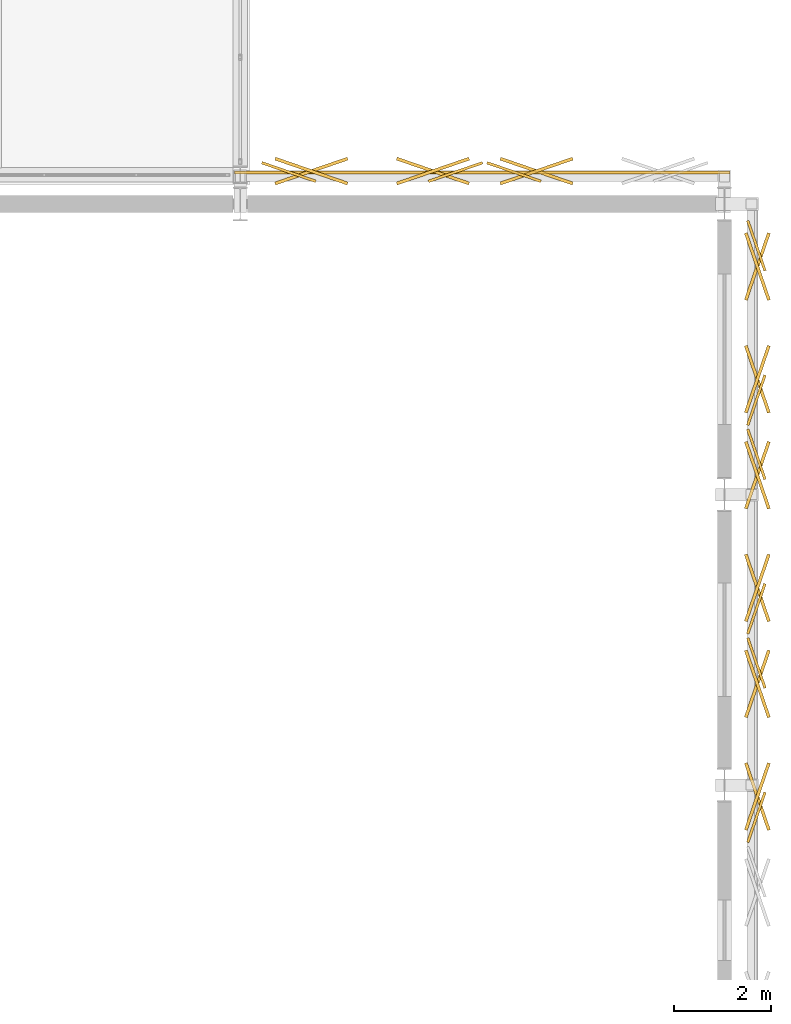
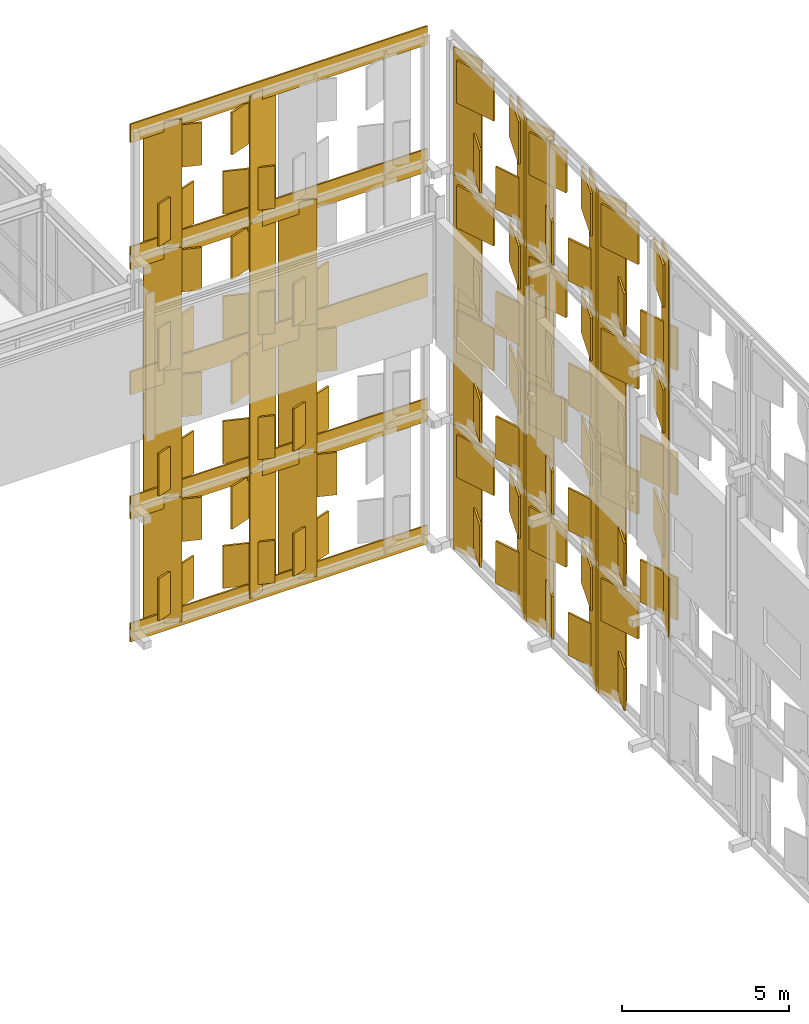
# One storey, part 238 of 239: 106 coverings.
"""IFC4 building model written with IfcOpenShell, lengths in metres."""

from ifc_helpers import new_model, si_unit, direction, frame, origin, origin_2d, place, context, subcontext, project, spatial, rectangle, extrude, material, layer, layer_set, type_object, element, save


model = new_model("IFC4")

# Units and contexts
model_context = context("Model", 3, precision=1e-05, world=origin(), true_north=direction((0.0, 1.0)))
body_context = subcontext(model_context, "Body", "Model", "MODEL_VIEW")
ifc_project = project(units=[si_unit("LENGTHUNIT", "METRE"), si_unit("AREAUNIT", "SQUARE_METRE"), si_unit("VOLUMEUNIT", "CUBIC_METRE"), si_unit("PLANEANGLEUNIT", "RADIAN"), si_unit("MASSUNIT", "GRAM", prefix="KILO")], contexts=[model_context])

# Site, building, storey
site_placement = place(None, origin())
site = spatial("IfcSite", under=ifc_project, at=site_placement, CompositionType="ELEMENT")
building_placement = place(site_placement, origin())
building = spatial("IfcBuilding", under=site, at=building_placement, Name="Kaldris Quays Convention Centre", CompositionType="ELEMENT")
storey_placement = place(building_placement, frame((0.0, 0.0, 11.39990234375)))
storey = spatial("IfcBuildingStorey", under=building, at=storey_placement, Name="L02", CompositionType="ELEMENT", Elevation=11.39990234375)

# Coverings
ifc_material = material(Name="Alabaster white star-pierced anodized aluminium panel", Category="aluminium")
ifc_layer = layer(ifc_material, 0.044921875)
ifc_layer_set = layer_set([ifc_layer], Name="Alabaster white star-pierced anodized aluminium panel")
covering_type = type_object("IfcCoveringType", Name="STAR PIERCED WHITE FOLDED SCREEN CL01", PredefinedType="CLADDING", material=ifc_layer_set)
covering_1_placement = place(storey_placement, frame((204.659912109375, 94.521484375, -7.60986328125), z_axis=(0.0, 0.0, 1.0), x_axis=(-0.325568154457, 0.945518575599, 0.0)))
element("IfcCovering", 1, at=covering_1_placement, inside=storey, type_object=covering_type, Name="V2E Folded White Screen Stile 2065", PredefinedType="CLADDING", context=body_context, shape_type="SweptSolid", body=[
    extrude(rectangle(XDim=1.093994140625, YDim=0.054931640625, at=origin_2d()), origin(), (0.0, 0.0, 1.0), 4.669921875),
])
for number, where, z_axis, x_axis, name in (
    (2, (204.679931640625, 94.0908203125, -7.27685546875), (0.0, 0.0, 1.0), (0.325568154457, 0.945518575599, 0.0), "V2E Carved Star Corner Facet 2068"),
    (3, (204.679931640625, 94.0908203125, -4.81982421875), (0.0, 0.0, 1.0), (-0.325568154457, 0.945518575599, 0.0), "V2E Carved Star Corner Facet 2069"),
):
    element("IfcCovering", number, at=place(storey_placement, frame(where, z_axis=z_axis, x_axis=x_axis)), inside=storey, type_object=covering_type, Name=name, PredefinedType="CLADDING", context=body_context, shape_type="SweptSolid", body=[
        extrude(rectangle(XDim=1.465087890625, YDim=0.06494140625, at=origin_2d()), origin(), (0.0, 0.0, 1.0), 1.547119140625),
    ])
for number, where, z_axis, x_axis, name in (
    (4, (204.659912109375, 91.3330078125, -3.059814453125), (0.0, 0.0, 1.0), (0.325568154457, 0.945518575599, 0.0), "V2E Folded White Screen Stile 2070"),
    (5, (204.659912109375, 94.521484375, -3.059814453125), (0.0, 0.0, 1.0), (-0.325568154457, 0.945518575599, 0.0), "V2E Folded White Screen Stile 2071"),
):
    element("IfcCovering", number, at=place(storey_placement, frame(where, z_axis=z_axis, x_axis=x_axis)), inside=storey, type_object=covering_type, Name=name, PredefinedType="CLADDING", context=body_context, shape_type="SweptSolid", body=[
        extrude(rectangle(XDim=1.093994140625, YDim=0.054931640625, at=origin_2d()), origin(), (0.0, 0.0, 1.0), 4.669921875),
    ])
for number, where, z_axis, x_axis, name in (
    (6, (204.679931640625, 91.763916015625, -2.72705078125), (0.0, 0.0, 1.0), (-0.325568154457, 0.945518575599, 0.0), "V2E Carved Star Corner Facet 2072"),
    (7, (204.679931640625, 91.763916015625, -0.27001953125), (0.0, 0.0, 1.0), (0.325568154457, 0.945518575599, 0.0), "V2E Carved Star Corner Facet 2073"),
    (8, (204.679931640625, 94.0908203125, -2.72705078125), (0.0, 0.0, 1.0), (0.325568154457, 0.945518575599, 0.0), "V2E Carved Star Corner Facet 2074"),
    (9, (204.679931640625, 94.0908203125, -0.27001953125), (0.0, 0.0, 1.0), (-0.325568154457, 0.945518575599, 0.0), "V2E Carved Star Corner Facet 2075"),
):
    element("IfcCovering", number, at=place(storey_placement, frame(where, z_axis=z_axis, x_axis=x_axis)), inside=storey, type_object=covering_type, Name=name, PredefinedType="CLADDING", context=body_context, shape_type="SweptSolid", body=[
        extrude(rectangle(XDim=1.465087890625, YDim=0.06494140625, at=origin_2d()), origin(), (0.0, 0.0, 1.0), 1.547119140625),
    ])
for number, where, z_axis, x_axis, name in (
    (10, (204.659912109375, 91.3330078125, 1.490234375), (0.0, 0.0, 1.0), (0.325568154457, 0.945518575599, 0.0), "V2E Folded White Screen Stile 2076"),
    (11, (204.659912109375, 94.521484375, 1.490234375), (0.0, 0.0, 1.0), (-0.325568154457, 0.945518575599, 0.0), "V2E Folded White Screen Stile 2077"),
):
    element("IfcCovering", number, at=place(storey_placement, frame(where, z_axis=z_axis, x_axis=x_axis)), inside=storey, type_object=covering_type, Name=name, PredefinedType="CLADDING", context=body_context, shape_type="SweptSolid", body=[
        extrude(rectangle(XDim=1.093994140625, YDim=0.054931640625, at=origin_2d()), origin(), (0.0, 0.0, 1.0), 4.669921875),
    ])
for number, where, z_axis, x_axis, name in (
    (12, (204.679931640625, 91.763916015625, 1.8232421875), (0.0, 0.0, 1.0), (-0.325568154457, 0.945518575599, 0.0), "V2E Carved Star Corner Facet 2078"),
    (13, (204.679931640625, 91.763916015625, 4.2802734375), (0.0, 0.0, 1.0), (0.325568154457, 0.945518575599, 0.0), "V2E Carved Star Corner Facet 2079"),
    (14, (204.679931640625, 94.0908203125, 1.8232421875), (0.0, 0.0, 1.0), (0.325568154457, 0.945518575599, 0.0), "V2E Carved Star Corner Facet 2080"),
    (15, (204.679931640625, 94.0908203125, 4.2802734375), (0.0, 0.0, 1.0), (-0.325568154457, 0.945518575599, 0.0), "V2E Carved Star Corner Facet 2081"),
):
    element("IfcCovering", number, at=place(storey_placement, frame(where, z_axis=z_axis, x_axis=x_axis)), inside=storey, type_object=covering_type, Name=name, PredefinedType="CLADDING", context=body_context, shape_type="SweptSolid", body=[
        extrude(rectangle(XDim=1.465087890625, YDim=0.06494140625, at=origin_2d()), origin(), (0.0, 0.0, 1.0), 1.547119140625),
    ])
for number, where, z_axis, x_axis, name in (
    (16, (204.659912109375, 91.3330078125, 6.0400390625), (0.0, 0.0, 1.0), (0.325568154457, 0.945518575599, 0.0), "V2E Folded White Screen Stile 2082"),
    (17, (204.659912109375, 94.521484375, 6.0400390625), (0.0, 0.0, 1.0), (-0.325568154457, 0.945518575599, 0.0), "V2E Folded White Screen Stile 2083"),
):
    element("IfcCovering", number, at=place(storey_placement, frame(where, z_axis=z_axis, x_axis=x_axis)), inside=storey, type_object=covering_type, Name=name, PredefinedType="CLADDING", context=body_context, shape_type="SweptSolid", body=[
        extrude(rectangle(XDim=1.093994140625, YDim=0.054931640625, at=origin_2d()), origin(), (0.0, 0.0, 1.0), 4.669921875),
    ])
for number, where, z_axis, x_axis, name in (
    (18, (204.679931640625, 91.763916015625, 6.373046875), (0.0, 0.0, 1.0), (-0.325568154457, 0.945518575599, 0.0), "V2E Carved Star Corner Facet 2084"),
    (19, (204.679931640625, 91.763916015625, 8.830078125), (0.0, 0.0, 1.0), (0.325568154457, 0.945518575599, 0.0), "V2E Carved Star Corner Facet 2085"),
    (20, (204.679931640625, 94.0908203125, 6.373046875), (0.0, 0.0, 1.0), (0.325568154457, 0.945518575599, 0.0), "V2E Carved Star Corner Facet 2086"),
    (21, (204.679931640625, 94.0908203125, 8.830078125), (0.0, 0.0, 1.0), (-0.325568154457, 0.945518575599, 0.0), "V2E Carved Star Corner Facet 2087"),
):
    element("IfcCovering", number, at=place(storey_placement, frame(where, z_axis=z_axis, x_axis=x_axis)), inside=storey, type_object=covering_type, Name=name, PredefinedType="CLADDING", context=body_context, shape_type="SweptSolid", body=[
        extrude(rectangle(XDim=1.465087890625, YDim=0.06494140625, at=origin_2d()), origin(), (0.0, 0.0, 1.0), 1.547119140625),
    ])
for number, where, z_axis, x_axis, name in (
    (22, (204.659912109375, 95.64208984375, -7.60986328125), (0.0, 0.0, 1.0), (0.325568154457, 0.945518575599, 0.0), "V2E Folded White Screen Stile 2088"),
    (23, (204.659912109375, 98.830810546875, -7.60986328125), (0.0, 0.0, 1.0), (-0.325568154457, 0.945518575599, 0.0), "V2E Folded White Screen Stile 2089"),
):
    element("IfcCovering", number, at=place(storey_placement, frame(where, z_axis=z_axis, x_axis=x_axis)), inside=storey, type_object=covering_type, Name=name, PredefinedType="CLADDING", context=body_context, shape_type="SweptSolid", body=[
        extrude(rectangle(XDim=1.093994140625, YDim=0.054931640625, at=origin_2d()), origin(), (0.0, 0.0, 1.0), 4.669921875),
    ])
for number, where, z_axis, x_axis, name in (
    (24, (204.679931640625, 96.072998046875, -7.27685546875), (0.0, 0.0, 1.0), (-0.325568154457, 0.945518575599, 0.0), "V2E Carved Star Corner Facet 2090"),
    (25, (204.679931640625, 96.072998046875, -4.81982421875), (0.0, 0.0, 1.0), (0.325568154457, 0.945518575599, 0.0), "V2E Carved Star Corner Facet 2091"),
    (26, (204.679931640625, 98.39990234375, -7.27685546875), (0.0, 0.0, 1.0), (0.325568154457, 0.945518575599, 0.0), "V2E Carved Star Corner Facet 2092"),
    (27, (204.679931640625, 98.39990234375, -4.81982421875), (0.0, 0.0, 1.0), (-0.325568154457, 0.945518575599, 0.0), "V2E Carved Star Corner Facet 2093"),
):
    element("IfcCovering", number, at=place(storey_placement, frame(where, z_axis=z_axis, x_axis=x_axis)), inside=storey, type_object=covering_type, Name=name, PredefinedType="CLADDING", context=body_context, shape_type="SweptSolid", body=[
        extrude(rectangle(XDim=1.465087890625, YDim=0.06494140625, at=origin_2d()), origin(), (0.0, 0.0, 1.0), 1.547119140625),
    ])
for number, where, z_axis, x_axis, name in (
    (28, (204.659912109375, 95.64208984375, -3.059814453125), (0.0, 0.0, 1.0), (0.325568154457, 0.945518575599, 0.0), "V2E Folded White Screen Stile 2094"),
    (29, (204.659912109375, 98.830810546875, -3.059814453125), (0.0, 0.0, 1.0), (-0.325568154457, 0.945518575599, 0.0), "V2E Folded White Screen Stile 2095"),
):
    element("IfcCovering", number, at=place(storey_placement, frame(where, z_axis=z_axis, x_axis=x_axis)), inside=storey, type_object=covering_type, Name=name, PredefinedType="CLADDING", context=body_context, shape_type="SweptSolid", body=[
        extrude(rectangle(XDim=1.093994140625, YDim=0.054931640625, at=origin_2d()), origin(), (0.0, 0.0, 1.0), 4.669921875),
    ])
for number, where, z_axis, x_axis, name in (
    (30, (204.679931640625, 96.072998046875, -2.72705078125), (0.0, 0.0, 1.0), (-0.325568154457, 0.945518575599, 0.0), "V2E Carved Star Corner Facet 2096"),
    (31, (204.679931640625, 96.072998046875, -0.27001953125), (0.0, 0.0, 1.0), (0.325568154457, 0.945518575599, 0.0), "V2E Carved Star Corner Facet 2097"),
    (32, (204.679931640625, 98.39990234375, -2.72705078125), (0.0, 0.0, 1.0), (0.325568154457, 0.945518575599, 0.0), "V2E Carved Star Corner Facet 2098"),
    (33, (204.679931640625, 98.39990234375, -0.27001953125), (0.0, 0.0, 1.0), (-0.325568154457, 0.945518575599, 0.0), "V2E Carved Star Corner Facet 2099"),
):
    element("IfcCovering", number, at=place(storey_placement, frame(where, z_axis=z_axis, x_axis=x_axis)), inside=storey, type_object=covering_type, Name=name, PredefinedType="CLADDING", context=body_context, shape_type="SweptSolid", body=[
        extrude(rectangle(XDim=1.465087890625, YDim=0.06494140625, at=origin_2d()), origin(), (0.0, 0.0, 1.0), 1.547119140625),
    ])
for number, where, z_axis, x_axis, name in (
    (34, (204.659912109375, 95.64208984375, 1.490234375), (0.0, 0.0, 1.0), (0.325568154457, 0.945518575599, 0.0), "V2E Folded White Screen Stile 2100"),
    (35, (204.659912109375, 98.830810546875, 1.490234375), (0.0, 0.0, 1.0), (-0.325568154457, 0.945518575599, 0.0), "V2E Folded White Screen Stile 2101"),
):
    element("IfcCovering", number, at=place(storey_placement, frame(where, z_axis=z_axis, x_axis=x_axis)), inside=storey, type_object=covering_type, Name=name, PredefinedType="CLADDING", context=body_context, shape_type="SweptSolid", body=[
        extrude(rectangle(XDim=1.093994140625, YDim=0.054931640625, at=origin_2d()), origin(), (0.0, 0.0, 1.0), 4.669921875),
    ])
for number, where, z_axis, x_axis, name in (
    (36, (204.679931640625, 96.072998046875, 1.8232421875), (0.0, 0.0, 1.0), (-0.325568154457, 0.945518575599, 0.0), "V2E Carved Star Corner Facet 2102"),
    (37, (204.679931640625, 96.072998046875, 4.2802734375), (0.0, 0.0, 1.0), (0.325568154457, 0.945518575599, 0.0), "V2E Carved Star Corner Facet 2103"),
    (38, (204.679931640625, 98.39990234375, 1.8232421875), (0.0, 0.0, 1.0), (0.325568154457, 0.945518575599, 0.0), "V2E Carved Star Corner Facet 2104"),
    (39, (204.679931640625, 98.39990234375, 4.2802734375), (0.0, 0.0, 1.0), (-0.325568154457, 0.945518575599, 0.0), "V2E Carved Star Corner Facet 2105"),
):
    element("IfcCovering", number, at=place(storey_placement, frame(where, z_axis=z_axis, x_axis=x_axis)), inside=storey, type_object=covering_type, Name=name, PredefinedType="CLADDING", context=body_context, shape_type="SweptSolid", body=[
        extrude(rectangle(XDim=1.465087890625, YDim=0.06494140625, at=origin_2d()), origin(), (0.0, 0.0, 1.0), 1.547119140625),
    ])
for number, where, z_axis, x_axis, name in (
    (40, (204.659912109375, 95.64208984375, 6.0400390625), (0.0, 0.0, 1.0), (0.325568154457, 0.945518575599, 0.0), "V2E Folded White Screen Stile 2106"),
    (41, (204.659912109375, 98.830810546875, 6.0400390625), (0.0, 0.0, 1.0), (-0.325568154457, 0.945518575599, 0.0), "V2E Folded White Screen Stile 2107"),
):
    element("IfcCovering", number, at=place(storey_placement, frame(where, z_axis=z_axis, x_axis=x_axis)), inside=storey, type_object=covering_type, Name=name, PredefinedType="CLADDING", context=body_context, shape_type="SweptSolid", body=[
        extrude(rectangle(XDim=1.093994140625, YDim=0.054931640625, at=origin_2d()), origin(), (0.0, 0.0, 1.0), 4.669921875),
    ])
for number, where, z_axis, x_axis, name in (
    (42, (204.679931640625, 96.072998046875, 6.373046875), (0.0, 0.0, 1.0), (-0.325568154457, 0.945518575599, 0.0), "V2E Carved Star Corner Facet 2108"),
    (43, (204.679931640625, 96.072998046875, 8.830078125), (0.0, 0.0, 1.0), (0.325568154457, 0.945518575599, 0.0), "V2E Carved Star Corner Facet 2109"),
    (44, (204.679931640625, 98.39990234375, 6.373046875), (0.0, 0.0, 1.0), (0.325568154457, 0.945518575599, 0.0), "V2E Carved Star Corner Facet 2110"),
    (45, (204.679931640625, 98.39990234375, 8.830078125), (0.0, 0.0, 1.0), (-0.325568154457, 0.945518575599, 0.0), "V2E Carved Star Corner Facet 2111"),
):
    element("IfcCovering", number, at=place(storey_placement, frame(where, z_axis=z_axis, x_axis=x_axis)), inside=storey, type_object=covering_type, Name=name, PredefinedType="CLADDING", context=body_context, shape_type="SweptSolid", body=[
        extrude(rectangle(XDim=1.465087890625, YDim=0.06494140625, at=origin_2d()), origin(), (0.0, 0.0, 1.0), 1.547119140625),
    ])
for number, where, z_axis, x_axis, name in (
    (46, (204.659912109375, 99.951171875, -7.60986328125), (0.0, 0.0, 1.0), (0.325568154457, 0.945518575599, 0.0), "V2E Folded White Screen Stile 2112"),
    (47, (204.659912109375, 103.139892578125, -7.60986328125), (0.0, 0.0, 1.0), (-0.325568154457, 0.945518575599, 0.0), "V2E Folded White Screen Stile 2113"),
):
    element("IfcCovering", number, at=place(storey_placement, frame(where, z_axis=z_axis, x_axis=x_axis)), inside=storey, type_object=covering_type, Name=name, PredefinedType="CLADDING", context=body_context, shape_type="SweptSolid", body=[
        extrude(rectangle(XDim=1.093994140625, YDim=0.054931640625, at=origin_2d()), origin(), (0.0, 0.0, 1.0), 4.669921875),
    ])
for number, where, z_axis, x_axis, name in (
    (48, (204.679931640625, 100.382080078125, -7.27685546875), (0.0, 0.0, 1.0), (-0.325568154457, 0.945518575599, 0.0), "V2E Carved Star Corner Facet 2114"),
    (49, (204.679931640625, 100.382080078125, -4.81982421875), (0.0, 0.0, 1.0), (0.325568154457, 0.945518575599, 0.0), "V2E Carved Star Corner Facet 2115"),
    (50, (204.679931640625, 102.708984375, -7.27685546875), (0.0, 0.0, 1.0), (0.325568154457, 0.945518575599, 0.0), "V2E Carved Star Corner Facet 2116"),
    (51, (204.679931640625, 102.708984375, -4.81982421875), (0.0, 0.0, 1.0), (-0.325568154457, 0.945518575599, 0.0), "V2E Carved Star Corner Facet 2117"),
):
    element("IfcCovering", number, at=place(storey_placement, frame(where, z_axis=z_axis, x_axis=x_axis)), inside=storey, type_object=covering_type, Name=name, PredefinedType="CLADDING", context=body_context, shape_type="SweptSolid", body=[
        extrude(rectangle(XDim=1.465087890625, YDim=0.06494140625, at=origin_2d()), origin(), (0.0, 0.0, 1.0), 1.547119140625),
    ])
for number, where, z_axis, x_axis, name in (
    (52, (204.659912109375, 99.951171875, -3.059814453125), (0.0, 0.0, 1.0), (0.325568154457, 0.945518575599, 0.0), "V2E Folded White Screen Stile 2118"),
    (53, (204.659912109375, 103.139892578125, -3.059814453125), (0.0, 0.0, 1.0), (-0.325568154457, 0.945518575599, 0.0), "V2E Folded White Screen Stile 2119"),
):
    element("IfcCovering", number, at=place(storey_placement, frame(where, z_axis=z_axis, x_axis=x_axis)), inside=storey, type_object=covering_type, Name=name, PredefinedType="CLADDING", context=body_context, shape_type="SweptSolid", body=[
        extrude(rectangle(XDim=1.093994140625, YDim=0.054931640625, at=origin_2d()), origin(), (0.0, 0.0, 1.0), 4.669921875),
    ])
for number, where, z_axis, x_axis, name in (
    (54, (204.679931640625, 100.382080078125, -2.72705078125), (0.0, 0.0, 1.0), (-0.325568154457, 0.945518575599, 0.0), "V2E Carved Star Corner Facet 2120"),
    (55, (204.679931640625, 100.382080078125, -0.27001953125), (0.0, 0.0, 1.0), (0.325568154457, 0.945518575599, 0.0), "V2E Carved Star Corner Facet 2121"),
    (56, (204.679931640625, 102.708984375, -2.72705078125), (0.0, 0.0, 1.0), (0.325568154457, 0.945518575599, 0.0), "V2E Carved Star Corner Facet 2122"),
    (57, (204.679931640625, 102.708984375, -0.27001953125), (0.0, 0.0, 1.0), (-0.325568154457, 0.945518575599, 0.0), "V2E Carved Star Corner Facet 2123"),
):
    element("IfcCovering", number, at=place(storey_placement, frame(where, z_axis=z_axis, x_axis=x_axis)), inside=storey, type_object=covering_type, Name=name, PredefinedType="CLADDING", context=body_context, shape_type="SweptSolid", body=[
        extrude(rectangle(XDim=1.465087890625, YDim=0.06494140625, at=origin_2d()), origin(), (0.0, 0.0, 1.0), 1.547119140625),
    ])
for number, where, z_axis, x_axis, name in (
    (58, (204.659912109375, 99.951171875, 1.490234375), (0.0, 0.0, 1.0), (0.325568154457, 0.945518575599, 0.0), "V2E Folded White Screen Stile 2124"),
    (59, (204.659912109375, 103.139892578125, 1.490234375), (0.0, 0.0, 1.0), (-0.325568154457, 0.945518575599, 0.0), "V2E Folded White Screen Stile 2125"),
):
    element("IfcCovering", number, at=place(storey_placement, frame(where, z_axis=z_axis, x_axis=x_axis)), inside=storey, type_object=covering_type, Name=name, PredefinedType="CLADDING", context=body_context, shape_type="SweptSolid", body=[
        extrude(rectangle(XDim=1.093994140625, YDim=0.054931640625, at=origin_2d()), origin(), (0.0, 0.0, 1.0), 4.669921875),
    ])
for number, where, z_axis, x_axis, name in (
    (60, (204.679931640625, 100.382080078125, 1.8232421875), (0.0, 0.0, 1.0), (-0.325568154457, 0.945518575599, 0.0), "V2E Carved Star Corner Facet 2126"),
    (61, (204.679931640625, 100.382080078125, 4.2802734375), (0.0, 0.0, 1.0), (0.325568154457, 0.945518575599, 0.0), "V2E Carved Star Corner Facet 2127"),
    (62, (204.679931640625, 102.708984375, 1.8232421875), (0.0, 0.0, 1.0), (0.325568154457, 0.945518575599, 0.0), "V2E Carved Star Corner Facet 2128"),
    (63, (204.679931640625, 102.708984375, 4.2802734375), (0.0, 0.0, 1.0), (-0.325568154457, 0.945518575599, 0.0), "V2E Carved Star Corner Facet 2129"),
):
    element("IfcCovering", number, at=place(storey_placement, frame(where, z_axis=z_axis, x_axis=x_axis)), inside=storey, type_object=covering_type, Name=name, PredefinedType="CLADDING", context=body_context, shape_type="SweptSolid", body=[
        extrude(rectangle(XDim=1.465087890625, YDim=0.06494140625, at=origin_2d()), origin(), (0.0, 0.0, 1.0), 1.547119140625),
    ])
for number, where, z_axis, x_axis, name in (
    (64, (204.659912109375, 99.951171875, 6.0400390625), (0.0, 0.0, 1.0), (0.325568154457, 0.945518575599, 0.0), "V2E Folded White Screen Stile 2130"),
    (65, (204.659912109375, 103.139892578125, 6.0400390625), (0.0, 0.0, 1.0), (-0.325568154457, 0.945518575599, 0.0), "V2E Folded White Screen Stile 2131"),
):
    element("IfcCovering", number, at=place(storey_placement, frame(where, z_axis=z_axis, x_axis=x_axis)), inside=storey, type_object=covering_type, Name=name, PredefinedType="CLADDING", context=body_context, shape_type="SweptSolid", body=[
        extrude(rectangle(XDim=1.093994140625, YDim=0.054931640625, at=origin_2d()), origin(), (0.0, 0.0, 1.0), 4.669921875),
    ])
for number, where, z_axis, x_axis, name in (
    (66, (204.679931640625, 100.382080078125, 6.373046875), (0.0, 0.0, 1.0), (-0.325568154457, 0.945518575599, 0.0), "V2E Carved Star Corner Facet 2132"),
    (67, (204.679931640625, 100.382080078125, 8.830078125), (0.0, 0.0, 1.0), (0.325568154457, 0.945518575599, 0.0), "V2E Carved Star Corner Facet 2133"),
    (68, (204.679931640625, 102.708984375, 6.373046875), (0.0, 0.0, 1.0), (0.325568154457, 0.945518575599, 0.0), "V2E Carved Star Corner Facet 2134"),
    (69, (204.679931640625, 102.708984375, 8.830078125), (0.0, 0.0, 1.0), (-0.325568154457, 0.945518575599, 0.0), "V2E Carved Star Corner Facet 2135"),
):
    element("IfcCovering", number, at=place(storey_placement, frame(where, z_axis=z_axis, x_axis=x_axis)), inside=storey, type_object=covering_type, Name=name, PredefinedType="CLADDING", context=body_context, shape_type="SweptSolid", body=[
        extrude(rectangle(XDim=1.465087890625, YDim=0.06494140625, at=origin_2d()), origin(), (0.0, 0.0, 1.0), 1.547119140625),
    ])
covering_2_placement = place(storey_placement, frame((199.0, 104.64990234375, -7.8896484375), z_axis=(0.0, 0.0, 1.0), x_axis=(1.0, 0.0, 0.0)))
element("IfcCovering", 70, at=covering_2_placement, inside=storey, type_object=covering_type, Name="V2N White Screen Folded Band 2661", PredefinedType="CLADDING", context=body_context, shape_type="SweptSolid", body=[
    extrude(rectangle(XDim=10.239990234375, YDim=0.054931640625, at=origin_2d()), origin(), (0.0, 0.0, 1.0), 0.679931640625),
])
for number, where, z_axis, x_axis, name in (
    (71, (199.0, 104.64990234375, -3.419921875), (0.0, 0.0, 1.0), (1.0, 0.0, 0.0), "V2N White Screen Folded Band 2662"),
    (72, (199.0, 104.64990234375, 1.1298828125), (0.0, 0.0, 1.0), (1.0, 0.0, 0.0), "V2N White Screen Folded Band 2663"),
    (73, (199.0, 104.64990234375, 5.68017578125), (0.0, 0.0, 1.0), (1.0, 0.0, 0.0), "V2N White Screen Folded Band 2664"),
):
    element("IfcCovering", number, at=place(storey_placement, frame(where, z_axis=z_axis, x_axis=x_axis)), inside=storey, type_object=covering_type, Name=name, PredefinedType="CLADDING", context=body_context, shape_type="SweptSolid", body=[
        extrude(rectangle(XDim=10.239990234375, YDim=0.054931640625, at=origin_2d()), origin(), (0.0, 0.0, 1.0), 0.840087890625),
    ])
covering_3_placement = place(storey_placement, frame((199.0, 104.64990234375, 10.31005859375), z_axis=(0.0, 0.0, 1.0), x_axis=(1.0, 0.0, 0.0)))
element("IfcCovering", 74, at=covering_3_placement, inside=storey, type_object=covering_type, Name="V2N White Screen Folded Band 2665", PredefinedType="CLADDING", context=body_context, shape_type="SweptSolid", body=[
    extrude(rectangle(XDim=10.239990234375, YDim=0.054931640625, at=origin_2d()), origin(), (0.0, 0.0, 1.0), 0.679931640625),
])
for number, where, z_axis, x_axis, name in (
    (75, (195.00439453125, 104.659912109375, -7.60986328125), (0.0, 0.0, 1.0), (0.945518575599, -0.325568154457, 0.0), "V2N Folded White Screen Stile 2666"),
    (76, (198.445556640625, 104.659912109375, -7.60986328125), (0.0, 0.0, 1.0), (0.945518575599, 0.325568154457, 0.0), "V2N Folded White Screen Stile 2667"),
):
    element("IfcCovering", number, at=place(storey_placement, frame(where, z_axis=z_axis, x_axis=x_axis)), inside=storey, type_object=covering_type, Name=name, PredefinedType="CLADDING", context=body_context, shape_type="SweptSolid", body=[
        extrude(rectangle(XDim=1.179931640625, YDim=0.054931640625, at=origin_2d()), origin(), (0.0, 0.0, 1.0), 4.669921875),
    ])
for number, where, z_axis, x_axis, name in (
    (77, (195.469482421875, 104.679931640625, -7.27685546875), (0.0, 0.0, 1.0), (0.945518575599, 0.325568154457, 0.0), "V2N Carved Star Corner Facet 2668"),
    (78, (195.469482421875, 104.679931640625, -4.81982421875), (0.0, 0.0, 1.0), (0.945518575599, -0.325568154457, 0.0), "V2N Carved Star Corner Facet 2669"),
    (79, (197.98046875, 104.679931640625, -7.27685546875), (0.0, 0.0, 1.0), (0.945518575599, -0.325568154457, 0.0), "V2N Carved Star Corner Facet 2670"),
    (80, (197.98046875, 104.679931640625, -4.81982421875), (0.0, 0.0, 1.0), (0.945518575599, 0.325568154457, 0.0), "V2N Carved Star Corner Facet 2671"),
):
    element("IfcCovering", number, at=place(storey_placement, frame(where, z_axis=z_axis, x_axis=x_axis)), inside=storey, type_object=covering_type, Name=name, PredefinedType="CLADDING", context=body_context, shape_type="SweptSolid", body=[
        extrude(rectangle(XDim=1.5810546875, YDim=0.06494140625, at=origin_2d()), origin(), (0.0, 0.0, 1.0), 1.547119140625),
    ])
for number, where, z_axis, x_axis, name in (
    (81, (195.00439453125, 104.659912109375, -3.059814453125), (0.0, 0.0, 1.0), (0.945518575599, -0.325568154457, 0.0), "V2N Folded White Screen Stile 2672"),
    (82, (198.445556640625, 104.659912109375, -3.059814453125), (0.0, 0.0, 1.0), (0.945518575599, 0.325568154457, 0.0), "V2N Folded White Screen Stile 2673"),
):
    element("IfcCovering", number, at=place(storey_placement, frame(where, z_axis=z_axis, x_axis=x_axis)), inside=storey, type_object=covering_type, Name=name, PredefinedType="CLADDING", context=body_context, shape_type="SweptSolid", body=[
        extrude(rectangle(XDim=1.179931640625, YDim=0.054931640625, at=origin_2d()), origin(), (0.0, 0.0, 1.0), 4.669921875),
    ])
for number, where, z_axis, x_axis, name in (
    (83, (195.469482421875, 104.679931640625, -2.72705078125), (0.0, 0.0, 1.0), (0.945518575599, 0.325568154457, 0.0), "V2N Carved Star Corner Facet 2674"),
    (84, (195.469482421875, 104.679931640625, -0.27001953125), (0.0, 0.0, 1.0), (0.945518575599, -0.325568154457, 0.0), "V2N Carved Star Corner Facet 2675"),
    (85, (197.98046875, 104.679931640625, -2.72705078125), (0.0, 0.0, 1.0), (0.945518575599, -0.325568154457, 0.0), "V2N Carved Star Corner Facet 2676"),
    (86, (197.98046875, 104.679931640625, -0.27001953125), (0.0, 0.0, 1.0), (0.945518575599, 0.325568154457, 0.0), "V2N Carved Star Corner Facet 2677"),
):
    element("IfcCovering", number, at=place(storey_placement, frame(where, z_axis=z_axis, x_axis=x_axis)), inside=storey, type_object=covering_type, Name=name, PredefinedType="CLADDING", context=body_context, shape_type="SweptSolid", body=[
        extrude(rectangle(XDim=1.5810546875, YDim=0.06494140625, at=origin_2d()), origin(), (0.0, 0.0, 1.0), 1.547119140625),
    ])
for number, where, z_axis, x_axis, name in (
    (87, (195.00439453125, 104.659912109375, 1.490234375), (0.0, 0.0, 1.0), (0.945518575599, -0.325568154457, 0.0), "V2N Folded White Screen Stile 2678"),
    (88, (198.445556640625, 104.659912109375, 1.490234375), (0.0, 0.0, 1.0), (0.945518575599, 0.325568154457, 0.0), "V2N Folded White Screen Stile 2679"),
):
    element("IfcCovering", number, at=place(storey_placement, frame(where, z_axis=z_axis, x_axis=x_axis)), inside=storey, type_object=covering_type, Name=name, PredefinedType="CLADDING", context=body_context, shape_type="SweptSolid", body=[
        extrude(rectangle(XDim=1.179931640625, YDim=0.054931640625, at=origin_2d()), origin(), (0.0, 0.0, 1.0), 4.669921875),
    ])
for number, where, z_axis, x_axis, name in (
    (89, (195.469482421875, 104.679931640625, 1.8232421875), (0.0, 0.0, 1.0), (0.945518575599, 0.325568154457, 0.0), "V2N Carved Star Corner Facet 2680"),
    (90, (195.469482421875, 104.679931640625, 4.2802734375), (0.0, 0.0, 1.0), (0.945518575599, -0.325568154457, 0.0), "V2N Carved Star Corner Facet 2681"),
    (91, (197.98046875, 104.679931640625, 1.8232421875), (0.0, 0.0, 1.0), (0.945518575599, -0.325568154457, 0.0), "V2N Carved Star Corner Facet 2682"),
    (92, (197.98046875, 104.679931640625, 4.2802734375), (0.0, 0.0, 1.0), (0.945518575599, 0.325568154457, 0.0), "V2N Carved Star Corner Facet 2683"),
):
    element("IfcCovering", number, at=place(storey_placement, frame(where, z_axis=z_axis, x_axis=x_axis)), inside=storey, type_object=covering_type, Name=name, PredefinedType="CLADDING", context=body_context, shape_type="SweptSolid", body=[
        extrude(rectangle(XDim=1.5810546875, YDim=0.06494140625, at=origin_2d()), origin(), (0.0, 0.0, 1.0), 1.547119140625),
    ])
for number, where, z_axis, x_axis, name in (
    (93, (195.00439453125, 104.659912109375, 6.0400390625), (0.0, 0.0, 1.0), (0.945518575599, -0.325568154457, 0.0), "V2N Folded White Screen Stile 2684"),
    (94, (198.445556640625, 104.659912109375, 6.0400390625), (0.0, 0.0, 1.0), (0.945518575599, 0.325568154457, 0.0), "V2N Folded White Screen Stile 2685"),
):
    element("IfcCovering", number, at=place(storey_placement, frame(where, z_axis=z_axis, x_axis=x_axis)), inside=storey, type_object=covering_type, Name=name, PredefinedType="CLADDING", context=body_context, shape_type="SweptSolid", body=[
        extrude(rectangle(XDim=1.179931640625, YDim=0.054931640625, at=origin_2d()), origin(), (0.0, 0.0, 1.0), 4.669921875),
    ])
for number, where, z_axis, x_axis, name in (
    (95, (195.469482421875, 104.679931640625, 6.373046875), (0.0, 0.0, 1.0), (0.945518575599, 0.325568154457, 0.0), "V2N Carved Star Corner Facet 2686"),
    (96, (195.469482421875, 104.679931640625, 8.830078125), (0.0, 0.0, 1.0), (0.945518575599, -0.325568154457, 0.0), "V2N Carved Star Corner Facet 2687"),
    (97, (197.98046875, 104.679931640625, 6.373046875), (0.0, 0.0, 1.0), (0.945518575599, -0.325568154457, 0.0), "V2N Carved Star Corner Facet 2688"),
    (98, (197.98046875, 104.679931640625, 8.830078125), (0.0, 0.0, 1.0), (0.945518575599, 0.325568154457, 0.0), "V2N Carved Star Corner Facet 2689"),
):
    element("IfcCovering", number, at=place(storey_placement, frame(where, z_axis=z_axis, x_axis=x_axis)), inside=storey, type_object=covering_type, Name=name, PredefinedType="CLADDING", context=body_context, shape_type="SweptSolid", body=[
        extrude(rectangle(XDim=1.5810546875, YDim=0.06494140625, at=origin_2d()), origin(), (0.0, 0.0, 1.0), 1.547119140625),
    ])
covering_4_placement = place(storey_placement, frame((199.654541015625, 104.659912109375, -7.60986328125), z_axis=(0.0, 0.0, 1.0), x_axis=(0.945518575599, -0.325568154457, 0.0)))
element("IfcCovering", 99, at=covering_4_placement, inside=storey, type_object=covering_type, Name="V2N Folded White Screen Stile 2690", PredefinedType="CLADDING", context=body_context, shape_type="SweptSolid", body=[
    extrude(rectangle(XDim=1.179931640625, YDim=0.054931640625, at=origin_2d()), origin(), (0.0, 0.0, 1.0), 4.669921875),
])
for number, where, z_axis, x_axis, name in (
    (100, (200.119384765625, 104.679931640625, -7.27685546875), (0.0, 0.0, 1.0), (0.945518575599, 0.325568154457, 0.0), "V2N Carved Star Corner Facet 2692"),
    (101, (200.119384765625, 104.679931640625, -4.81982421875), (0.0, 0.0, 1.0), (0.945518575599, -0.325568154457, 0.0), "V2N Carved Star Corner Facet 2693"),
):
    element("IfcCovering", number, at=place(storey_placement, frame(where, z_axis=z_axis, x_axis=x_axis)), inside=storey, type_object=covering_type, Name=name, PredefinedType="CLADDING", context=body_context, shape_type="SweptSolid", body=[
        extrude(rectangle(XDim=1.5810546875, YDim=0.06494140625, at=origin_2d()), origin(), (0.0, 0.0, 1.0), 1.547119140625),
    ])
covering_5_placement = place(storey_placement, frame((199.654541015625, 104.659912109375, -3.059814453125), z_axis=(0.0, 0.0, 1.0), x_axis=(0.945518575599, -0.325568154457, 0.0)))
element("IfcCovering", 102, at=covering_5_placement, inside=storey, type_object=covering_type, Name="V2N Folded White Screen Stile 2696", PredefinedType="CLADDING", context=body_context, shape_type="SweptSolid", body=[
    extrude(rectangle(XDim=1.179931640625, YDim=0.054931640625, at=origin_2d()), origin(), (0.0, 0.0, 1.0), 4.669921875),
])
for number, where, z_axis, x_axis, name in (
    (103, (200.119384765625, 104.679931640625, -2.72705078125), (0.0, 0.0, 1.0), (0.945518575599, 0.325568154457, 0.0), "V2N Carved Star Corner Facet 2698"),
    (104, (200.119384765625, 104.679931640625, -0.27001953125), (0.0, 0.0, 1.0), (0.945518575599, -0.325568154457, 0.0), "V2N Carved Star Corner Facet 2699"),
):
    element("IfcCovering", number, at=place(storey_placement, frame(where, z_axis=z_axis, x_axis=x_axis)), inside=storey, type_object=covering_type, Name=name, PredefinedType="CLADDING", context=body_context, shape_type="SweptSolid", body=[
        extrude(rectangle(XDim=1.5810546875, YDim=0.06494140625, at=origin_2d()), origin(), (0.0, 0.0, 1.0), 1.547119140625),
    ])
covering_6_placement = place(storey_placement, frame((199.654541015625, 104.659912109375, 1.490234375), z_axis=(0.0, 0.0, 1.0), x_axis=(0.945518575599, -0.325568154457, 0.0)))
element("IfcCovering", 105, at=covering_6_placement, inside=storey, type_object=covering_type, Name="V2N Folded White Screen Stile 2702", PredefinedType="CLADDING", context=body_context, shape_type="SweptSolid", body=[
    extrude(rectangle(XDim=1.179931640625, YDim=0.054931640625, at=origin_2d()), origin(), (0.0, 0.0, 1.0), 4.669921875),
])
covering_7_placement = place(storey_placement, frame((200.119384765625, 104.679931640625, 1.8232421875), z_axis=(0.0, 0.0, 1.0), x_axis=(0.945518575599, 0.325568154457, 0.0)))
element("IfcCovering", 106, at=covering_7_placement, inside=storey, type_object=covering_type, Name="V2N Carved Star Corner Facet 2704", PredefinedType="CLADDING", context=body_context, shape_type="SweptSolid", body=[
    extrude(rectangle(XDim=1.5810546875, YDim=0.06494140625, at=origin_2d()), origin(), (0.0, 0.0, 1.0), 1.547119140625),
])

save(model, "model.ifc")
